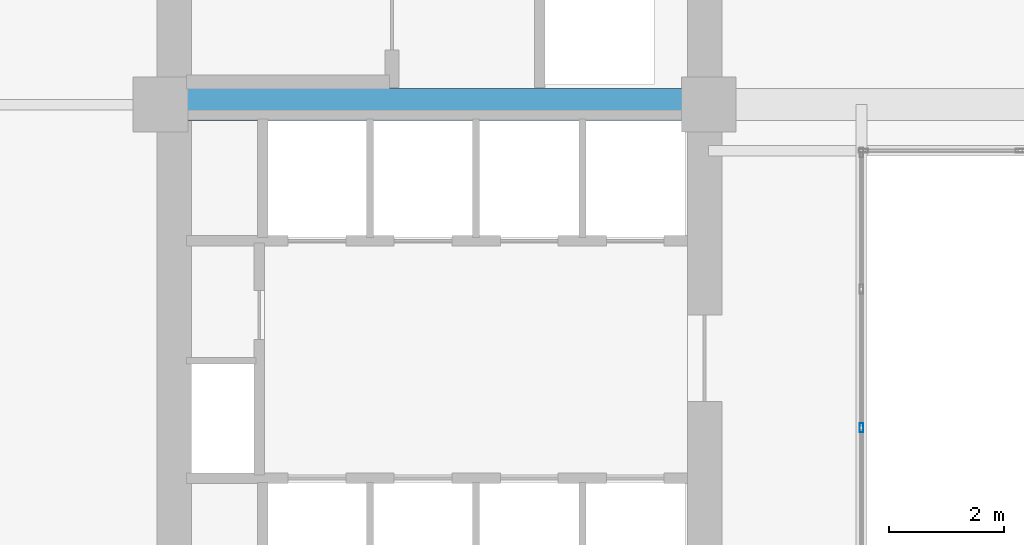
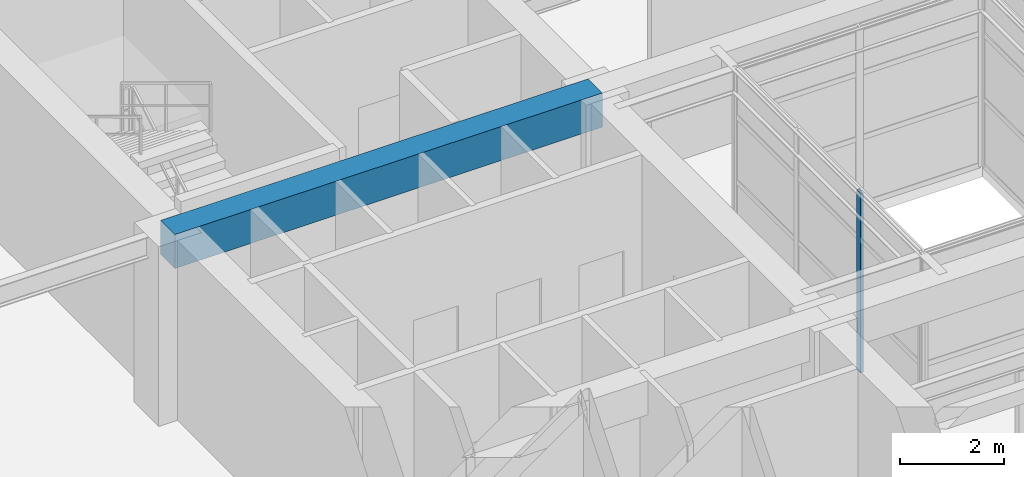
# One storey, part 3 of 10: 1 beam, 1 member, 1 element without a shape of its own.
"""IFC4 building model written with IfcOpenShell, lengths in metres."""

from ifc_helpers import new_model, si_unit, direction, frame, origin, origin_2d, place, context, subcontext, project, spatial, rectangle, hollow_rectangle, extrude, material, layer, layer_set, material_profile, profile_set, type_object, element, aggregate, save


model = new_model("IFC4")

# Units and contexts
model_context = context("Model", 3, precision=1e-05, world=origin(), true_north=direction((0.0, 1.0)))
body_context = subcontext(model_context, "Body", "Model", "MODEL_VIEW")
ifc_project = project(units=[si_unit("LENGTHUNIT", "METRE"), si_unit("AREAUNIT", "SQUARE_METRE"), si_unit("VOLUMEUNIT", "CUBIC_METRE"), si_unit("PLANEANGLEUNIT", "RADIAN"), si_unit("MASSUNIT", "GRAM", prefix="KILO")], contexts=[model_context])

# Site, building, storey
site_placement = place(None, origin())
site = spatial("IfcSite", under=ifc_project, at=site_placement, CompositionType="ELEMENT")
building_placement = place(site_placement, origin())
building = spatial("IfcBuilding", under=site, at=building_placement, Name="Kundavana Baori Tower", CompositionType="ELEMENT")
storey_placement = place(building_placement, frame((0.0, 0.0, 12.5)))
storey = spatial("IfcBuildingStorey", under=building, at=storey_placement, Name="L02", CompositionType="ELEMENT", Elevation=12.5)

# Beam
ifc_material_1 = material(Name="Concrete C50/60", Category="concrete")
ifc_material_profile_1 = material_profile(ifc_material_1, rectangle(XDim=0.550048828125, YDim=0.800048828125, at=origin_2d()), Name="RC BM 550x800")
ifc_profile_set_1 = profile_set([ifc_material_profile_1], Name="Concrete C50/60")
beam_type = type_object("IfcBeamType", Name="BM-RC-800", PredefinedType="BEAM", material=ifc_profile_set_1)
beam_placement = place(storey_placement, frame((15.449951171875, 33.0, 3.820068359375), z_axis=(1.0, 0.0, 0.0), x_axis=(0.0, 1.0, 0.0)))
element("IfcBeam", 1, at=beam_placement, inside=storey, type_object=beam_type, Name="L02 Primary Grid Girder GX-3-1", PredefinedType="BEAM", context=body_context, shape_type="SweptSolid", body=[
    extrude(rectangle(XDim=0.550048828125, YDim=0.800048828125, at=origin_2d()), origin(), (0.0, 0.0, 1.0), 9.5),
])

# Curtain wall, member
ifc_material_2 = material(Name="Thermally Broken Anodised Aluminium Framing", Category="aluminium")
ifc_layer = layer(ifc_material_2, 0.159912109375, Name="CW-SYS-1")
ifc_layer_set = layer_set([ifc_layer], Name="Thermally Broken Anodised Aluminium Framing")
curtain_wall_type = type_object("IfcCurtainWallType", Name="CW-SYS-1", PredefinedType="NOTDEFINED", material=ifc_layer_set)
curtain_wall_placement = place(storey_placement, origin())
curtain_wall = element("IfcCurtainWall", 2, at=curtain_wall_placement, inside=storey, type_object=curtain_wall_type, Name="L02 Atrium Glazed Curtain Wall W", PredefinedType="NOTDEFINED")
ifc_material_3 = material(Name="Thermally Broken Anodised Aluminium Framing", Category="aluminium")
ifc_material_profile_2 = material_profile(ifc_material_3, hollow_rectangle(XDim=0.06494140625, YDim=0.159912109375, WallThickness=0.00390625, at=origin_2d()), Name="CW-MULL-160")
ifc_profile_set_2 = profile_set([ifc_material_profile_2], Name="Thermally Broken Anodised Aluminium Framing")
member_type = type_object("IfcMemberType", Name="CW-MULL-160", PredefinedType="MULLION", material=ifc_profile_set_2)
member_placement = place(storey_placement, frame((27.60009765625, 27.39990234375, 0.0), z_axis=(0.0, 0.0, 1.0), x_axis=(1.0, 0.0, 0.0)))
member = element("IfcMember", 3, at=member_placement, type_object=member_type, Name="CW1 mullion 3", PredefinedType="MULLION", context=body_context, shape_type="SweptSolid", body=[
    extrude(hollow_rectangle(XDim=0.06494140625, YDim=0.159912109375, WallThickness=0.00390625, at=origin_2d()), origin(), (0.0, 0.0, 1.0), 4.219970703125),
])
aggregate(curtain_wall, [member])

save(model, "model.ifc")
